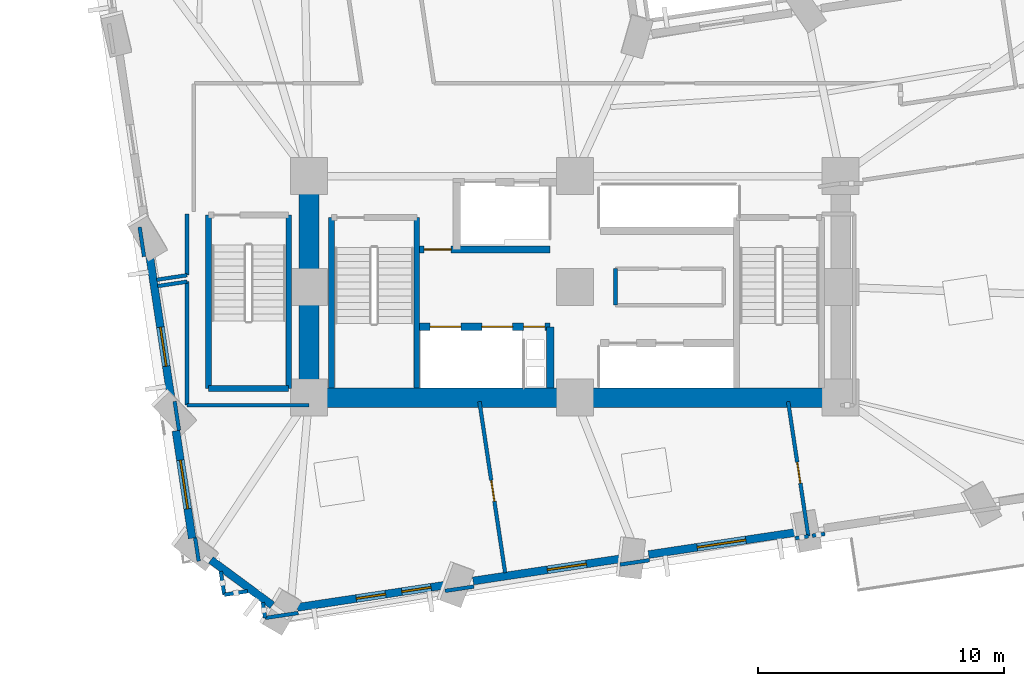
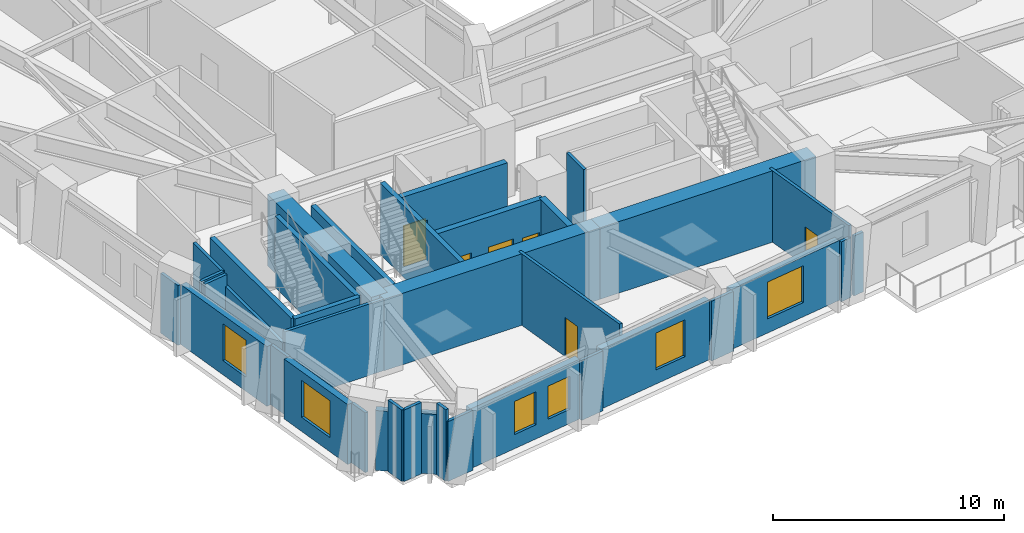
# One storey, part 7 of 15: 36 walls, 6 doors, 6 windows, 12 openings.
"""IFC4 building model written with IfcOpenShell, lengths in metres."""

from ifc_helpers import new_model, si_unit, direction, frame, frame_2d, origin, place, context, subcontext, project, spatial, rectangle, extrude, material, layer, layer_set, type_object, element, fill, save


model = new_model("IFC4")

# Units and contexts
model_context = context("Model", 3, precision=1e-05, world=origin(), true_north=direction((0.0, 1.0)))
body_context = subcontext(model_context, "Body", "Model", "MODEL_VIEW")
ifc_project = project(units=[si_unit("LENGTHUNIT", "METRE"), si_unit("AREAUNIT", "SQUARE_METRE"), si_unit("VOLUMEUNIT", "CUBIC_METRE"), si_unit("PLANEANGLEUNIT", "RADIAN"), si_unit("MASSUNIT", "GRAM", prefix="KILO")], contexts=[model_context])

# Site, building, storey
site_placement = place(None, origin())
site = spatial("IfcSite", under=ifc_project, at=site_placement, CompositionType="ELEMENT")
building_placement = place(site_placement, origin())
building = spatial("IfcBuilding", under=site, at=building_placement, Name="Gaonmaruhae Medical Tower", CompositionType="ELEMENT")
storey_placement = place(building_placement, frame((0.0, 0.0, 59.0)))
storey = spatial("IfcBuildingStorey", under=building, at=storey_placement, Name="L13", CompositionType="ELEMENT", Elevation=59.0)

# Walls
ifc_material_1 = material(Name="Concrete C60/75", Category="concrete")
ifc_layer_1 = layer(ifc_material_1, 0.800048828125)
ifc_layer_set_1 = layer_set([ifc_layer_1], Name="Concrete C60/75")
wall_type_1 = type_object("IfcWallType", Name="CW-800 Lower Core Shear Wall", PredefinedType="SHEAR", material=ifc_layer_set_1)
for number, where, z_axis, x_axis, name in (
    (1, (14.0, 7.800048828125, 0.0), (0.0, 0.0, 1.0), (1.0, 0.0, 0.0), "L13 Core Shear Wall CSW-S1"),
    (2, (24.800048828125, 7.800048828125, 0.0), (0.0, 0.0, 1.0), (1.0, 0.0, 0.0), "L13 Core Shear Wall CSW-S2"),
):
    element("IfcWall", number, at=place(storey_placement, frame(where, z_axis=z_axis, x_axis=x_axis)), inside=storey, type_object=wall_type_1, Name=name, PredefinedType="SHEAR", context=body_context, shape_type="SweptSolid", body=[
        extrude(rectangle(XDim=10.800048828125, YDim=0.800048828125, at=frame_2d((5.39990234375, 0.0))), origin(), (0.0, 0.0, 1.0), 3.780029296875),
    ])
wall_1_placement = place(storey_placement, frame((14.0, 16.800048828125, 0.0), z_axis=(0.0, 0.0, 1.0), x_axis=(0.0, -1.0, 0.0)))
element("IfcWall", 3, at=wall_1_placement, inside=storey, type_object=wall_type_1, Name="L13 Core Shear Wall CSW-W1", PredefinedType="SHEAR", context=body_context, shape_type="SweptSolid", body=[
    extrude(rectangle(XDim=9.0, YDim=0.800048828125, at=frame_2d((4.5, 0.0))), origin(), (0.0, 0.0, 1.0), 3.780029296875),
])

# Wall, openings, windows
ifc_material_2 = material(Name="Precast concrete C45/55", Category="concrete")
ifc_layer_2 = layer(ifc_material_2, 0.320068359375)
ifc_layer_set_2 = layer_set([ifc_layer_2], Name="Precast concrete C45/55")
wall_type_2 = type_object("IfcWallType", Name="EW-320 Lower Precast Masonry-Frame Facade Wall", PredefinedType="SOLIDWALL", material=ifc_layer_set_2)
wall_2_placement = place(storey_placement, frame((19.498046875, 0.1796875, 0.0), z_axis=(0.0, 0.0, 1.0), x_axis=(-0.98889149836, -0.148639175427, 0.0)))
wall_2 = element("IfcWall", 4, at=wall_2_placement, inside=storey, type_object=wall_type_2, Name="L13 Precast Masonry-Frame Wall S01-S02", PredefinedType="SOLIDWALL", context=body_context, shape_type="SweptSolid", body=[
    extrude(rectangle(XDim=6.03466796875, YDim=0.320068359375, at=frame_2d((3.017333984375, 0.0))), origin(), (0.0, 0.0, 1.0), 3.1650390625),
])
opening_1_placement = place(wall_2_placement, frame((2.413330078125, 0.0, 0.75)))
opening_1 = element("IfcOpeningElement", 5, at=opening_1_placement, cuts=wall_2, Name="Opening WN-05", PredefinedType="OPENING", context=body_context, shape_type="SweptSolid", body=[
    extrude(rectangle(XDim=1.199951171875, YDim=1.75, at=frame_2d((0.60009765625, 0.875))), frame((0.0, 0.169921875, 0.0), z_axis=(0.0, -1.0, 0.0), x_axis=(1.0, 0.0, 0.0)), (0.0, 0.0, 1.0), 0.340087890625),
])
opening_2_placement = place(wall_2_placement, frame((0.54541015625, 0.0, 0.75)))
opening_2 = element("IfcOpeningElement", 6, at=opening_2_placement, cuts=wall_2, Name="Opening WN-05", PredefinedType="OPENING", context=body_context, shape_type="SweptSolid", body=[
    extrude(rectangle(XDim=1.199951171875, YDim=1.75, at=frame_2d((0.60009765625, 0.875))), frame((0.0, 0.169921875, 0.0), z_axis=(0.0, -1.0, 0.0), x_axis=(1.0, 0.0, 0.0)), (0.0, 0.0, 1.0), 0.340087890625),
])
ifc_material_3 = material(Name="Anodised aluminium and Low-E double glazing", Category="aluminium")
window_type_1 = type_object("IfcWindowType", Name="WN-05 Support & Staff Punched Window 1200x1750", PartitioningType="SINGLE_PANEL", PredefinedType="WINDOW", material=ifc_material_3)
window_1_placement = place(opening_1_placement, origin())
window_1 = element("IfcWindow", 7, at=window_1_placement, inside=storey, type_object=window_type_1, Name="L13 Modular Facade Window S01", OverallHeight=1.75, OverallWidth=1.199951171875, PartitioningType="SINGLE_PANEL", PredefinedType="WINDOW", context=body_context, shape_type="SweptSolid", body=[
    extrude(rectangle(XDim=1.199951171875, YDim=1.75, at=frame_2d((0.60009765625, 0.875))), frame((0.0, 0.030029296875, 0.0), z_axis=(0.0, -1.0, 0.0), x_axis=(1.0, 0.0, 0.0)), (0.0, 0.0, 1.0), 0.06005859375),
])
fill(opening_1, window_1)
window_2_placement = place(opening_2_placement, origin())
window_2 = element("IfcWindow", 8, at=window_2_placement, inside=storey, type_object=window_type_1, Name="L13 Modular Facade Window S01B", OverallHeight=1.75, OverallWidth=1.199951171875, PartitioningType="SINGLE_PANEL", PredefinedType="WINDOW", context=body_context, shape_type="SweptSolid", body=[
    extrude(rectangle(XDim=1.199951171875, YDim=1.75, at=frame_2d((0.60009765625, 0.875))), frame((0.0, 0.030029296875, 0.0), z_axis=(0.0, -1.0, 0.0), x_axis=(1.0, 0.0, 0.0)), (0.0, 0.0, 1.0), 0.06005859375),
])
fill(opening_2, window_2)

# Wall, opening, window
wall_3_placement = place(storey_placement, frame((26.6064453125, 1.24853515625, 0.0), z_axis=(0.0, 0.0, 1.0), x_axis=(-0.988887995739, -0.14866247638, 0.0)))
wall_3 = element("IfcWall", 9, at=wall_3_placement, inside=storey, type_object=wall_type_2, Name="L13 Precast Masonry-Frame Wall S02-S03", PredefinedType="SOLIDWALL", context=body_context, shape_type="SweptSolid", body=[
    extrude(rectangle(XDim=6.005615234375, YDim=0.320068359375, at=frame_2d((3.0029296875, 0.0))), origin(), (0.0, 0.0, 1.0), 3.1650390625),
])
opening_3_placement = place(wall_3_placement, frame((1.35009765625, 0.0, 0.75)))
opening_3 = element("IfcOpeningElement", 10, at=opening_3_placement, cuts=wall_3, Name="Opening WN-01", PredefinedType="OPENING", context=body_context, shape_type="SweptSolid", body=[
    extrude(rectangle(XDim=1.60009765625, YDim=1.949951171875, at=frame_2d((0.800048828125, 0.97509765625))), frame((0.0, 0.169921875, 0.0), z_axis=(0.0, -1.0, 0.0), x_axis=(1.0, 0.0, 0.0)), (0.0, 0.0, 1.0), 0.340087890625),
])
window_type_2 = type_object("IfcWindowType", Name="WN-01 Ward Punched Acoustic Window 1600x1950", PartitioningType="SINGLE_PANEL", PredefinedType="WINDOW", material=ifc_material_3)
window_3_placement = place(opening_3_placement, origin())
window_3 = element("IfcWindow", 11, at=window_3_placement, inside=storey, type_object=window_type_2, Name="L13 Modular Facade Window S02", OverallHeight=1.949951171875, OverallWidth=1.60009765625, PartitioningType="SINGLE_PANEL", PredefinedType="WINDOW", context=body_context, shape_type="SweptSolid", body=[
    extrude(rectangle(XDim=1.60009765625, YDim=1.949951171875, at=frame_2d((0.800048828125, 0.97509765625))), frame((0.0, 0.030029296875, 0.0), z_axis=(0.0, -1.0, 0.0), x_axis=(1.0, 0.0, 0.0)), (0.0, 0.0, 1.0), 0.06005859375),
])
fill(opening_3, window_3)

wall_4_placement = place(storey_placement, frame((33.720947265625, 2.318115234375, 0.0), z_axis=(0.0, 0.0, 1.0), x_axis=(-0.988883371434, -0.148693233543, 0.0)))
wall_4 = element("IfcWall", 12, at=wall_4_placement, inside=storey, type_object=wall_type_2, Name="L13 Precast Masonry-Frame Wall S03-S04", PredefinedType="SOLIDWALL", context=body_context, shape_type="SweptSolid", body=[
    extrude(rectangle(XDim=5.98974609375, YDim=0.320068359375, at=frame_2d((2.994873046875, 0.0))), origin(), (0.0, 0.0, 1.0), 3.1650390625),
])
opening_4_placement = place(wall_4_placement, frame((1.99365234375, 0.0, 0.75)))
opening_4 = element("IfcOpeningElement", 13, at=opening_4_placement, cuts=wall_4, Name="Opening WN-02", PredefinedType="OPENING", context=body_context, shape_type="SweptSolid", body=[
    extrude(rectangle(XDim=2.0, YDim=1.949951171875, at=frame_2d((1.0, 0.97509765625))), frame((0.0, 0.169921875, 0.0), z_axis=(0.0, -1.0, 0.0), x_axis=(1.0, 0.0, 0.0)), (0.0, 0.0, 1.0), 0.340087890625),
])
window_type_3 = type_object("IfcWindowType", Name="WN-02 Double-Bed Ward Punched Window 2000x1950", PartitioningType="SINGLE_PANEL", PredefinedType="WINDOW", material=ifc_material_3)
window_4_placement = place(opening_4_placement, origin())
window_4 = element("IfcWindow", 14, at=window_4_placement, inside=storey, type_object=window_type_3, Name="L13 Modular Facade Window S03", OverallHeight=1.949951171875, OverallWidth=2.0, PartitioningType="SINGLE_PANEL", PredefinedType="WINDOW", context=body_context, shape_type="SweptSolid", body=[
    extrude(rectangle(XDim=2.0, YDim=1.949951171875, at=frame_2d((1.0, 0.97509765625))), frame((0.0, 0.030029296875, 0.0), z_axis=(0.0, -1.0, 0.0), x_axis=(1.0, 0.0, 0.0)), (0.0, 0.0, 1.0), 0.06005859375),
])
fill(opening_4, window_4)

wall_5_placement = place(storey_placement, frame((8.422119140625, 7.63623046875, 0.0), z_axis=(0.0, 0.0, 1.0), x_axis=(-0.148706716191, 0.988881344024, 0.0)))
wall_5 = element("IfcWall", 15, at=wall_5_placement, inside=storey, type_object=wall_type_2, Name="L13 Precast Masonry-Frame Wall W05-W06", PredefinedType="SOLIDWALL", context=body_context, shape_type="SweptSolid", body=[
    extrude(rectangle(XDim=5.997314453125, YDim=0.320068359375, at=frame_2d((2.99853515625, 0.0))), origin(), (0.0, 0.0, 1.0), 3.1650390625),
])
opening_5_placement = place(wall_5_placement, frame((1.462158203125, 0.0, 0.75)))
opening_5 = element("IfcOpeningElement", 16, at=opening_5_placement, cuts=wall_5, Name="Opening WN-01", PredefinedType="OPENING", context=body_context, shape_type="SweptSolid", body=[
    extrude(rectangle(XDim=1.60009765625, YDim=1.949951171875, at=frame_2d((0.800048828125, 0.97509765625))), frame((0.0, 0.169921875, 0.0), z_axis=(0.0, -1.0, 0.0), x_axis=(1.0, 0.0, 0.0)), (0.0, 0.0, 1.0), 0.340087890625),
])
window_5_placement = place(opening_5_placement, origin())
window_5 = element("IfcWindow", 17, at=window_5_placement, inside=storey, type_object=window_type_2, Name="L13 Modular Facade Window W05", OverallHeight=1.949951171875, OverallWidth=1.60009765625, PartitioningType="SINGLE_PANEL", PredefinedType="WINDOW", context=body_context, shape_type="SweptSolid", body=[
    extrude(rectangle(XDim=1.60009765625, YDim=1.949951171875, at=frame_2d((0.800048828125, 0.97509765625))), frame((0.0, 0.030029296875, 0.0), z_axis=(0.0, -1.0, 0.0), x_axis=(1.0, 0.0, 0.0)), (0.0, 0.0, 1.0), 0.06005859375),
])
fill(opening_5, window_5)

wall_6_placement = place(storey_placement, frame((9.256103515625, 2.088134765625, 0.0), z_axis=(0.0, 0.0, 1.0), x_axis=(-0.148645900874, 0.988890487442, 0.0)))
wall_6 = element("IfcWall", 18, at=wall_6_placement, inside=storey, type_object=wall_type_2, Name="L13 Precast Masonry-Frame Wall W06-W07", PredefinedType="SOLIDWALL", context=body_context, shape_type="SweptSolid", body=[
    extrude(rectangle(XDim=4.41650390625, YDim=0.320068359375, at=frame_2d((2.208251953125, 0.0))), origin(), (0.0, 0.0, 1.0), 3.1650390625),
])
opening_6_placement = place(wall_6_placement, frame((1.210693359375, 0.0, 0.75)))
opening_6 = element("IfcOpeningElement", 19, at=opening_6_placement, cuts=wall_6, Name="Opening WN-02", PredefinedType="OPENING", context=body_context, shape_type="SweptSolid", body=[
    extrude(rectangle(XDim=2.0, YDim=1.949951171875, at=frame_2d((1.0, 0.97509765625))), frame((0.0, 0.169921875, 0.0), z_axis=(0.0, -1.0, 0.0), x_axis=(1.0, 0.0, 0.0)), (0.0, 0.0, 1.0), 0.340087890625),
])
window_6_placement = place(opening_6_placement, origin())
window_6 = element("IfcWindow", 20, at=window_6_placement, inside=storey, type_object=window_type_3, Name="L13 Modular Facade Window W06", OverallHeight=1.949951171875, OverallWidth=2.0, PartitioningType="SINGLE_PANEL", PredefinedType="WINDOW", context=body_context, shape_type="SweptSolid", body=[
    extrude(rectangle(XDim=2.0, YDim=1.949951171875, at=frame_2d((1.0, 0.97509765625))), frame((0.0, 0.030029296875, 0.0), z_axis=(0.0, -1.0, 0.0), x_axis=(1.0, 0.0, 0.0)), (0.0, 0.0, 1.0), 0.06005859375),
])
fill(opening_6, window_6)

# Walls
wall_7_placement = place(storey_placement, frame((12.51025390625, -0.6318359375, 0.0), z_axis=(0.0, 0.0, 1.0), x_axis=(-0.804374190586, 0.594123018843, 0.0)))
element("IfcWall", 21, at=wall_7_placement, inside=storey, type_object=wall_type_2, Name="L13 Precast Masonry-Frame Wall W07-S01", PredefinedType="SOLIDWALL", context=body_context, shape_type="SweptSolid", body=[
    extrude(rectangle(XDim=3.09912109375, YDim=0.320068359375, at=frame_2d((1.549560546875, 0.0))), origin(), (0.0, 0.0, 1.0), 3.1650390625),
])
ifc_material_4 = material(Name="Gypsum board partition", Category="gypsum")
ifc_layer_3 = layer(ifc_material_4, 0.14990234375)
ifc_layer_set_3 = layer_set([ifc_layer_3], Name="Gypsum board partition")
wall_type_3 = type_object("IfcWallType", Name="PW-150 Rated Clinical Corridor Partition", PredefinedType="PARTITIONING", material=ifc_layer_set_3)
wall_8_placement = place(storey_placement, frame((26.449951171875, 11.56005859375, 0.0), z_axis=(0.0, 0.0, 1.0), x_axis=(0.0, 1.0, 0.0)))
element("IfcWall", 22, at=wall_8_placement, inside=storey, type_object=wall_type_3, Name="L13 Interior Partition L13-CS1-1", PredefinedType="PARTITIONING", context=body_context, shape_type="SweptSolid", body=[
    extrude(rectangle(XDim=1.47998046875, YDim=0.14990234375, at=frame_2d((0.739990234375, 0.0))), origin(), (0.0, 0.0, 1.0), 3.780029296875),
])
wall_9_placement = place(storey_placement, frame((7.85205078125, 12.333984375, 0.0), z_axis=(0.0, 0.0, 1.0), x_axis=(0.988908249039, 0.14852769096, 0.0)))
element("IfcWall", 23, at=wall_9_placement, inside=storey, type_object=wall_type_3, Name="L13 Interior Partition L13-SUP01-5", PredefinedType="PARTITIONING", context=body_context, shape_type="SweptSolid", body=[
    extrude(rectangle(XDim=1.21142578125, YDim=0.14990234375, at=frame_2d((0.605712890625, 0.0))), origin(), (0.0, 0.0, 1.0), 3.780029296875),
])
wall_10_placement = place(storey_placement, frame((9.050048828125, 12.513916015625, 0.0), z_axis=(0.0, 0.0, 1.0), x_axis=(0.0, -1.0, 0.0)))
element("IfcWall", 24, at=wall_10_placement, inside=storey, type_object=wall_type_3, Name="L13 Interior Partition L13-SUP01-6", PredefinedType="PARTITIONING", context=body_context, shape_type="SweptSolid", body=[
    extrude(rectangle(XDim=5.013916015625, YDim=0.14990234375, at=frame_2d((2.5068359375, 0.0))), origin(), (0.0, 0.0, 1.0), 3.1650390625),
])
wall_11_placement = place(storey_placement, frame((9.050048828125, 7.5, 0.0), z_axis=(0.0, 0.0, 1.0), x_axis=(1.0, 0.0, 0.0)))
element("IfcWall", 25, at=wall_11_placement, inside=storey, type_object=wall_type_3, Name="L13 Interior Partition L13-SUP01-7", PredefinedType="PARTITIONING", context=body_context, shape_type="SweptSolid", body=[
    extrude(rectangle(XDim=4.949951171875, YDim=0.14990234375, at=frame_2d((2.47509765625, 0.0))), origin(), (0.0, 0.0, 1.0), 3.780029296875),
])

# Wall, opening, door
wall_12_placement = place(storey_placement, frame((20.925048828125, 7.64208984375, 0.0), z_axis=(0.0, 0.0, 1.0), x_axis=(0.148727506092, -0.988878217442, 0.0)))
wall_12 = element("IfcWall", 26, at=wall_12_placement, inside=storey, type_object=wall_type_3, Name="L13 Interior Partition L13-SUP01-8", PredefinedType="PARTITIONING", context=body_context, shape_type="SweptSolid", body=[
    extrude(rectangle(XDim=7.0322265625, YDim=0.14990234375, at=frame_2d((3.51611328125, 0.0))), origin(), (0.0, 0.0, 1.0), 3.780029296875),
])
opening_7_placement = place(wall_12_placement, frame((3.23779296875, 0.0, 0.0)))
opening_7 = element("IfcOpeningElement", 27, at=opening_7_placement, cuts=wall_12, Name="Opening AD-01", PredefinedType="OPENING", context=body_context, shape_type="SweptSolid", body=[
    extrude(rectangle(XDim=0.860107421875, YDim=2.06005859375, at=frame_2d((0.43017578125, 1.030029296875))), frame((0.0, 0.0849609375, 0.0), z_axis=(0.0, -1.0, 0.0), x_axis=(1.0, 0.0, 0.0)), (0.0, 0.0, 1.0), 0.169921875),
])
ifc_material_5 = material(Name="Powder-coated steel access door", Category="steel")
door_type_1 = type_object("IfcDoorType", Name="AD-01 Riser & Closet Access Fire Door 860x2060", OperationType="NOTDEFINED", PredefinedType="DOOR", material=ifc_material_5)
door_1_placement = place(opening_7_placement, origin())
door_1 = element("IfcDoor", 28, at=door_1_placement, inside=storey, type_object=door_type_1, Name="L13 Clinical Biomedical Charting Office Sliding Door", OperationType="SLIDING_TO_LEFT", OverallHeight=2.06005859375, OverallWidth=0.860107421875, PredefinedType="DOOR", context=body_context, shape_type="SweptSolid", body=[
    extrude(rectangle(XDim=0.860107421875, YDim=2.06005859375, at=frame_2d((0.43017578125, 1.030029296875))), frame((0.0, 0.02490234375, 0.0), z_axis=(0.0, -1.0, 0.0), x_axis=(1.0, 0.0, 0.0)), (0.0, 0.0, 1.0), 0.050048828125),
])
fill(opening_7, door_1)

# Walls
wall_13_placement = place(storey_placement, frame((20.701904296875, 0.1279296875, 0.0), z_axis=(0.0, 0.0, 1.0), x_axis=(-0.988869653408, -0.148784436583, 0.0)))
element("IfcWall", 29, at=wall_13_placement, inside=storey, type_object=wall_type_3, Name="L13 Interior Partition L13-SUP01-9", PredefinedType="PARTITIONING", context=body_context, shape_type="SweptSolid", body=[
    extrude(rectangle(XDim=1.18310546875, YDim=0.14990234375, at=frame_2d((0.591552734375, 0.0))), origin(), (0.0, 0.0, 1.0), 3.1650390625),
])
wall_14_placement = place(storey_placement, frame((13.56494140625, -0.945068359375, 0.0), z_axis=(0.0, 0.0, 1.0), x_axis=(-0.988919229218, -0.148454565722, 0.0)))
element("IfcWall", 30, at=wall_14_placement, inside=storey, type_object=wall_type_3, Name="L13 Interior Partition L13-SUP01-10", PredefinedType="PARTITIONING", context=body_context, shape_type="SweptSolid", body=[
    extrude(rectangle(XDim=1.360107421875, YDim=0.14990234375, at=frame_2d((0.68017578125, 0.0))), origin(), (0.0, 0.0, 1.0), 3.1650390625),
])
wall_15_placement = place(storey_placement, frame((12.219970703125, -1.14697265625, 0.0), z_axis=(0.0, 0.0, 1.0), x_axis=(-0.148583260558, 0.988899901245, 0.0)))
element("IfcWall", 31, at=wall_15_placement, inside=storey, type_object=wall_type_3, Name="L13 Interior Partition L13-SUP01-11", PredefinedType="PARTITIONING", context=body_context, shape_type="SweptSolid", body=[
    extrude(rectangle(XDim=0.63916015625, YDim=0.14990234375, at=frame_2d((0.319580078125, 0.0))), origin(), (0.0, 0.0, 1.0), 3.780029296875),
])
for number, where, z_axis, x_axis, name in (
    (32, (11.510009765625, -0.06005859375, 0.0), (0.0, 0.0, 1.0), (-0.988863458501, -0.148825604122, 0.0), "L13 Interior Partition L13-SUP01-12"),
    (33, (10.56103515625, -0.202880859375, 0.0), (0.0, 0.0, 1.0), (-0.149074357947, 0.988825988636, 0.0), "L13 Interior Partition L13-SUP01-13"),
):
    element("IfcWall", number, at=place(storey_placement, frame(where, z_axis=z_axis, x_axis=x_axis)), inside=storey, type_object=wall_type_3, Name=name, PredefinedType="PARTITIONING", context=body_context, shape_type="SweptSolid", body=[
        extrude(rectangle(XDim=0.959716796875, YDim=0.14990234375, at=frame_2d((0.47998046875, 0.0))), origin(), (0.0, 0.0, 1.0), 3.780029296875),
    ])
wall_16_placement = place(storey_placement, frame((9.52197265625, 1.157958984375, 0.0), z_axis=(0.0, 0.0, 1.0), x_axis=(-0.149074357947, 0.988825988636, 0.0)))
element("IfcWall", 34, at=wall_16_placement, inside=storey, type_object=wall_type_3, Name="L13 Interior Partition L13-SUP01-14", PredefinedType="PARTITIONING", context=body_context, shape_type="SweptSolid", body=[
    extrude(rectangle(XDim=0.959716796875, YDim=0.14990234375, at=frame_2d((0.47998046875, 0.0))), origin(), (0.0, 0.0, 1.0), 3.1650390625),
])
wall_17_placement = place(storey_placement, frame((8.722900390625, 6.47412109375, 0.0), z_axis=(0.0, 0.0, 1.0), x_axis=(-0.149030183966, 0.98883264725, 0.0)))
element("IfcWall", 35, at=wall_17_placement, inside=storey, type_object=wall_type_3, Name="L13 Interior Partition L13-SUP01-15", PredefinedType="PARTITIONING", context=body_context, shape_type="SweptSolid", body=[
    extrude(rectangle(XDim=1.1943359375, YDim=0.14990234375, at=frame_2d((0.59716796875, 0.0))), origin(), (0.0, 0.0, 1.0), 3.1650390625),
])
wall_18_placement = place(storey_placement, frame((34.287109375, 2.1708984375, 0.0), z_axis=(0.0, 0.0, 1.0), x_axis=(-0.988936352868, -0.14834045293, 0.0)))
element("IfcWall", 36, at=wall_18_placement, inside=storey, type_object=wall_type_3, Name="L13 Interior Partition L13-SUP02-16", PredefinedType="PARTITIONING", context=body_context, shape_type="SweptSolid", body=[
    extrude(rectangle(XDim=0.5380859375, YDim=0.14990234375, at=frame_2d((0.26904296875, 0.0))), origin(), (0.0, 0.0, 1.0), 3.1650390625),
])
wall_19_placement = place(storey_placement, frame((27.83203125, 1.199951171875, 0.0), z_axis=(0.0, 0.0, 1.0), x_axis=(-0.988897657589, -0.1485981925, 0.0)))
element("IfcWall", 37, at=wall_19_placement, inside=storey, type_object=wall_type_3, Name="L13 Interior Partition L13-SUP02-17", PredefinedType="PARTITIONING", context=body_context, shape_type="SweptSolid", body=[
    extrude(rectangle(XDim=1.204345703125, YDim=0.14990234375, at=frame_2d((0.60205078125, 0.0))), origin(), (0.0, 0.0, 1.0), 3.1650390625),
])

# Wall, opening, door
wall_20_placement = place(storey_placement, frame((33.465087890625, 7.64208984375, 0.0), z_axis=(0.0, 0.0, 1.0), x_axis=(0.14857781012, -0.988900720164, 0.0)))
wall_20 = element("IfcWall", 38, at=wall_20_placement, inside=storey, type_object=wall_type_3, Name="L13 Interior Partition L13-SUP02-18", PredefinedType="PARTITIONING", context=body_context, shape_type="SweptSolid", body=[
    extrude(rectangle(XDim=5.53271484375, YDim=0.14990234375, at=frame_2d((2.766357421875, 0.0))), origin(), (0.0, 0.0, 1.0), 3.780029296875),
])
opening_8_placement = place(wall_20_placement, frame((2.48779296875, 0.0, 0.0)))
opening_8 = element("IfcOpeningElement", 39, at=opening_8_placement, cuts=wall_20, Name="Opening AD-01", PredefinedType="OPENING", context=body_context, shape_type="SweptSolid", body=[
    extrude(rectangle(XDim=0.860107421875, YDim=2.06005859375, at=frame_2d((0.43017578125, 1.030029296875))), frame((0.0, 0.0849609375, 0.0), z_axis=(0.0, -1.0, 0.0), x_axis=(1.0, 0.0, 0.0)), (0.0, 0.0, 1.0), 0.169921875),
])
door_2_placement = place(opening_8_placement, origin())
door_2 = element("IfcDoor", 40, at=door_2_placement, inside=storey, type_object=door_type_1, Name="L13 Clinical Biomedical Charting Office Sliding Door", OperationType="SLIDING_TO_LEFT", OverallHeight=2.06005859375, OverallWidth=0.860107421875, PredefinedType="DOOR", context=body_context, shape_type="SweptSolid", body=[
    extrude(rectangle(XDim=0.860107421875, YDim=2.06005859375, at=frame_2d((0.43017578125, 1.030029296875))), frame((0.0, 0.02490234375, 0.0), z_axis=(0.0, -1.0, 0.0), x_axis=(1.0, 0.0, 0.0)), (0.0, 0.0, 1.0), 0.050048828125),
])
fill(opening_8, door_2)

# Walls
wall_21_placement = place(storey_placement, frame((34.95703125, 2.27099609375, 0.0), z_axis=(0.0, 0.0, 1.0), x_axis=(-0.988905199831, -0.148547991391, 0.0)))
element("IfcWall", 41, at=wall_21_placement, inside=storey, type_object=wall_type_3, Name="L13 Interior Partition L13-SUP03-29", PredefinedType="PARTITIONING", context=body_context, shape_type="SweptSolid", body=[
    extrude(rectangle(XDim=0.517822265625, YDim=0.14990234375, at=frame_2d((0.2587890625, 0.0))), origin(), (0.0, 0.0, 1.0), 3.1650390625),
])
wall_22_placement = place(storey_placement, frame((9.050048828125, 15.260009765625, 0.0), z_axis=(0.0, 0.0, 1.0), x_axis=(0.0, -1.0, 0.0)))
element("IfcWall", 42, at=wall_22_placement, inside=storey, type_object=wall_type_3, Name="L13 Interior Partition L13-WOF06-44", PredefinedType="PARTITIONING", context=body_context, shape_type="SweptSolid", body=[
    extrude(rectangle(XDim=2.484130859375, YDim=0.14990234375, at=frame_2d((1.2421875, 0.0))), origin(), (0.0, 0.0, 1.0), 3.780029296875),
])
wall_23_placement = place(storey_placement, frame((9.050048828125, 12.77587890625, 0.0), z_axis=(0.0, 0.0, 1.0), x_axis=(-0.988891896526, -0.148636526418, 0.0)))
element("IfcWall", 43, at=wall_23_placement, inside=storey, type_object=wall_type_3, Name="L13 Interior Partition L13-WOF06-45", PredefinedType="PARTITIONING", context=body_context, shape_type="SweptSolid", body=[
    extrude(rectangle(XDim=1.25, YDim=0.14990234375, at=frame_2d((0.625, 0.0))), origin(), (0.0, 0.0, 1.0), 3.780029296875),
])
wall_24_placement = place(storey_placement, frame((7.302978515625, 13.532958984375, 0.0), z_axis=(0.0, 0.0, 1.0), x_axis=(-0.148646187536, 0.988890444352, 0.0)))
element("IfcWall", 44, at=wall_24_placement, inside=storey, type_object=wall_type_3, Name="L13 Interior Partition L13-WOF06-46", PredefinedType="PARTITIONING", context=body_context, shape_type="SweptSolid", body=[
    extrude(rectangle(XDim=1.21044921875, YDim=0.14990234375, at=frame_2d((0.605224609375, 0.0))), origin(), (0.0, 0.0, 1.0), 3.1650390625),
])
ifc_material_6 = material(Name="Concrete C50/60", Category="concrete")
ifc_layer_4 = layer(ifc_material_6, 0.239990234375)
ifc_layer_set_4 = layer_set([ifc_layer_4], Name="Concrete C50/60")
wall_type_4 = type_object("IfcWallType", Name="SW-240 Dogleg Stair Tight Shaft Wall", PredefinedType="SOLIDWALL", material=ifc_layer_set_4)
for number, where, z_axis, x_axis, name in (
    (45, (18.3798828125, 15.1201171875, 0.0), (0.0, 0.0, 1.0), (0.0, -1.0, 0.0), "L13 ST-01 Stair Shaft Wall SHW-ST-01-E"),
    (46, (14.919921875, 8.199951171875, 0.0), (0.0, 0.0, 1.0), (0.0, 1.0, 0.0), "L13 ST-01 Stair Shaft Wall SHW-ST-01-W"),
):
    element("IfcWall", number, at=place(storey_placement, frame(where, z_axis=z_axis, x_axis=x_axis)), inside=storey, type_object=wall_type_4, Name=name, PredefinedType="SOLIDWALL", context=body_context, shape_type="SweptSolid", body=[
        extrude(rectangle(XDim=6.920166015625, YDim=0.239990234375, at=frame_2d((3.4599609375, 0.0))), origin(), (0.0, 0.0, 1.0), 3.780029296875),
    ])
wall_25_placement = place(storey_placement, frame((13.179931640625, 15.219970703125, 0.0), z_axis=(0.0, 0.0, 1.0), x_axis=(0.0, -1.0, 0.0)))
element("IfcWall", 47, at=wall_25_placement, inside=storey, type_object=wall_type_4, Name="L13 ST-03 Stair Shaft Wall SHW-ST-03-E", PredefinedType="SOLIDWALL", context=body_context, shape_type="SweptSolid", body=[
    extrude(rectangle(XDim=7.050048828125, YDim=0.239990234375, at=frame_2d((3.52490234375, 0.0))), origin(), (0.0, 0.0, 1.0), 3.780029296875),
])
wall_26_placement = place(storey_placement, frame((13.179931640625, 8.169921875, 0.0), z_axis=(0.0, 0.0, 1.0), x_axis=(-1.0, 0.0, 0.0)))
element("IfcWall", 48, at=wall_26_placement, inside=storey, type_object=wall_type_4, Name="L13 ST-03 Stair Shaft Wall SHW-ST-03-S", PredefinedType="SOLIDWALL", context=body_context, shape_type="SweptSolid", body=[
    extrude(rectangle(XDim=3.260009765625, YDim=0.239990234375, at=frame_2d((1.6298828125, 0.0))), origin(), (0.0, 0.0, 1.0), 3.780029296875),
])
wall_27_placement = place(storey_placement, frame((9.919921875, 8.169921875, 0.0), z_axis=(0.0, 0.0, 1.0), x_axis=(0.0, 1.0, 0.0)))
element("IfcWall", 49, at=wall_27_placement, inside=storey, type_object=wall_type_4, Name="L13 ST-03 Stair Shaft Wall SHW-ST-03-W", PredefinedType="SOLIDWALL", context=body_context, shape_type="SweptSolid", body=[
    extrude(rectangle(XDim=7.050048828125, YDim=0.239990234375, at=frame_2d((3.52490234375, 0.0))), origin(), (0.0, 0.0, 1.0), 3.780029296875),
])

# Wall, openings, doors
ifc_layer_5 = layer(ifc_material_6, 0.300048828125)
ifc_layer_set_5 = layer_set([ifc_layer_5], Name="Concrete C50/60")
wall_type_5 = type_object("IfcWallType", Name="SW-300 Stair & Lift Hoistway Shaft Wall", PredefinedType="SOLIDWALL", material=ifc_layer_set_5)
wall_28_placement = place(storey_placement, frame((18.5, 10.679931640625, 0.0), z_axis=(0.0, 0.0, 1.0), x_axis=(1.0, 0.0, 0.0)))
wall_28 = element("IfcWall", 50, at=wall_28_placement, inside=storey, type_object=wall_type_5, Name="L13 Shaft Enclosure Wall SHW-FFN", PredefinedType="SOLIDWALL", context=body_context, shape_type="SweptSolid", body=[
    extrude(rectangle(XDim=5.300048828125, YDim=0.300048828125, at=frame_2d((2.64990234375, 0.0))), origin(), (0.0, 0.0, 1.0), 3.780029296875),
])
opening_9_placement = place(wall_28_placement, frame((4.219970703125, 0.0, 0.0)))
opening_9 = element("IfcOpeningElement", 51, at=opening_9_placement, cuts=wall_28, Name="Opening AD-01", PredefinedType="OPENING", context=body_context, shape_type="SweptSolid", body=[
    extrude(rectangle(XDim=0.860107421875, YDim=2.06005859375, at=frame_2d((0.43017578125, 1.030029296875))), frame((0.0, 0.16015625, 0.0), z_axis=(0.0, -1.0, 0.0), x_axis=(1.0, 0.0, 0.0)), (0.0, 0.0, 1.0), 0.320068359375),
])
opening_10_placement = place(wall_28_placement, frame((0.425048828125, 0.0, 0.0)))
opening_10 = element("IfcOpeningElement", 52, at=opening_10_placement, cuts=wall_28, Name="Opening LD-F1", PredefinedType="OPENING", context=body_context, shape_type="SweptSolid", body=[
    extrude(rectangle(XDim=1.25, YDim=2.179931640625, at=frame_2d((0.625, 1.08984375))), frame((0.0, 0.16015625, 0.0), z_axis=(0.0, -1.0, 0.0), x_axis=(1.0, 0.0, 0.0)), (0.0, 0.0, 1.0), 0.320068359375),
])
opening_11_placement = place(wall_28_placement, frame((2.52490234375, 0.0, 0.0)))
opening_11 = element("IfcOpeningElement", 53, at=opening_11_placement, cuts=wall_28, Name="Opening LD-F1", PredefinedType="OPENING", context=body_context, shape_type="SweptSolid", body=[
    extrude(rectangle(XDim=1.25, YDim=2.179931640625, at=frame_2d((0.625, 1.08984375))), frame((0.0, 0.16015625, 0.0), z_axis=(0.0, -1.0, 0.0), x_axis=(1.0, 0.0, 0.0)), (0.0, 0.0, 1.0), 0.320068359375),
])
door_3_placement = place(opening_9_placement, origin())
door_3 = element("IfcDoor", 54, at=door_3_placement, inside=storey, type_object=door_type_1, Name="L13 Medical Gas and MEP Riser Access Door", OperationType="SINGLE_SWING_RIGHT", OverallHeight=2.06005859375, OverallWidth=0.860107421875, PredefinedType="DOOR", context=body_context, shape_type="SweptSolid", body=[
    extrude(rectangle(XDim=0.860107421875, YDim=2.06005859375, at=frame_2d((0.43017578125, 1.030029296875))), frame((0.0, 0.02490234375, 0.0), z_axis=(0.0, -1.0, 0.0), x_axis=(1.0, 0.0, 0.0)), (0.0, 0.0, 1.0), 0.050048828125),
])
fill(opening_9, door_3)
ifc_material_7 = material(Name="Brushed stainless steel 316L landing door", Category="steel")
door_type_2 = type_object("IfcDoorType", Name="LD-F1 Firefighting & Bed Lift Sliding Landing Door 1250x2180", OperationType="NOTDEFINED", PredefinedType="DOOR", material=ifc_material_7)
door_4_placement = place(opening_10_placement, origin())
door_4 = element("IfcDoor", 55, at=door_4_placement, inside=storey, type_object=door_type_2, Name="L13 Firefighting Lift Landing Door FFL-01", OperationType="DOUBLE_DOOR_SLIDING", OverallHeight=2.179931640625, OverallWidth=1.25, PredefinedType="DOOR", context=body_context, shape_type="SweptSolid", body=[
    extrude(rectangle(XDim=1.25, YDim=2.179931640625, at=frame_2d((0.625, 1.08984375))), frame((0.0, 0.02490234375, 0.0), z_axis=(0.0, -1.0, 0.0), x_axis=(1.0, 0.0, 0.0)), (0.0, 0.0, 1.0), 0.050048828125),
])
fill(opening_10, door_4)
door_5_placement = place(opening_11_placement, origin())
door_5 = element("IfcDoor", 56, at=door_5_placement, inside=storey, type_object=door_type_2, Name="L13 Firefighting Lift Landing Door FFL-02", OperationType="DOUBLE_DOOR_SLIDING", OverallHeight=2.179931640625, OverallWidth=1.25, PredefinedType="DOOR", context=body_context, shape_type="SweptSolid", body=[
    extrude(rectangle(XDim=1.25, YDim=2.179931640625, at=frame_2d((0.625, 1.08984375))), frame((0.0, 0.02490234375, 0.0), z_axis=(0.0, -1.0, 0.0), x_axis=(1.0, 0.0, 0.0)), (0.0, 0.0, 1.0), 0.050048828125),
])
fill(opening_11, door_5)

# Wall, opening, door
wall_29_placement = place(storey_placement, frame((18.5, 13.820068359375, 0.0), z_axis=(0.0, 0.0, 1.0), x_axis=(1.0, 0.0, 0.0)))
wall_29 = element("IfcWall", 57, at=wall_29_placement, inside=storey, type_object=wall_type_5, Name="L13 Shaft Enclosure Wall SHW-FFL", PredefinedType="SOLIDWALL", context=body_context, shape_type="SweptSolid", body=[
    extrude(rectangle(XDim=5.300048828125, YDim=0.300048828125, at=frame_2d((2.64990234375, 0.0))), origin(), (0.0, 0.0, 1.0), 3.780029296875),
])
opening_12_placement = place(wall_29_placement, frame((0.179931640625, 0.0, 0.0)))
opening_12 = element("IfcOpeningElement", 58, at=opening_12_placement, cuts=wall_29, Name="Opening FD-01", PredefinedType="OPENING", context=body_context, shape_type="SweptSolid", body=[
    extrude(rectangle(XDim=1.10009765625, YDim=2.14990234375, at=frame_2d((0.550048828125, 1.074951171875))), frame((0.0, 0.16015625, 0.0), z_axis=(0.0, -1.0, 0.0), x_axis=(1.0, 0.0, 0.0)), (0.0, 0.0, 1.0), 0.320068359375),
])
ifc_material_8 = material(Name="Powder-coated steel fire door", Category="steel")
door_type_3 = type_object("IfcDoorType", Name="FD-01 Escape Stair Protected Fire Door 1100x2150", OperationType="NOTDEFINED", PredefinedType="DOOR", material=ifc_material_8)
door_6_placement = place(opening_12_placement, origin())
door_6 = element("IfcDoor", 59, at=door_6_placement, inside=storey, type_object=door_type_3, Name="L13 Firefighting Lobby Smoke Door", OperationType="SINGLE_SWING_LEFT", OverallHeight=2.14990234375, OverallWidth=1.10009765625, PredefinedType="DOOR", context=body_context, shape_type="SweptSolid", body=[
    extrude(rectangle(XDim=1.10009765625, YDim=2.14990234375, at=frame_2d((0.550048828125, 1.074951171875))), frame((0.0, 0.02490234375, 0.0), z_axis=(0.0, -1.0, 0.0), x_axis=(1.0, 0.0, 0.0)), (0.0, 0.0, 1.0), 0.050048828125),
])
fill(opening_12, door_6)

# Wall
wall_30_placement = place(storey_placement, frame((23.800048828125, 8.199951171875, 0.0), z_axis=(0.0, 0.0, 1.0), x_axis=(0.0, 1.0, 0.0)))
element("IfcWall", 60, at=wall_30_placement, inside=storey, type_object=wall_type_5, Name="L13 Shaft Enclosure Wall SHW-FFE", PredefinedType="SOLIDWALL", context=body_context, shape_type="SweptSolid", body=[
    extrude(rectangle(XDim=2.47998046875, YDim=0.300048828125, at=frame_2d((1.239990234375, 0.0))), origin(), (0.0, 0.0, 1.0), 3.780029296875),
])

save(model, "model.ifc")
